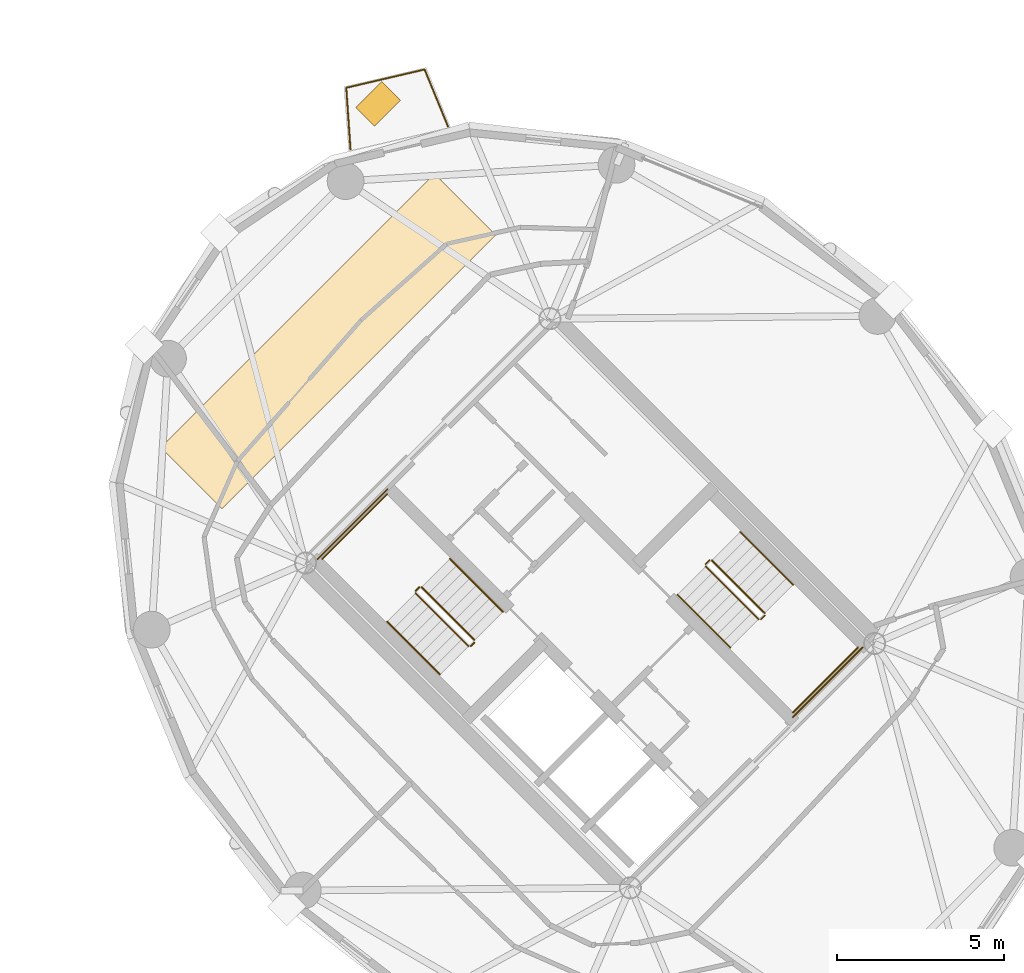
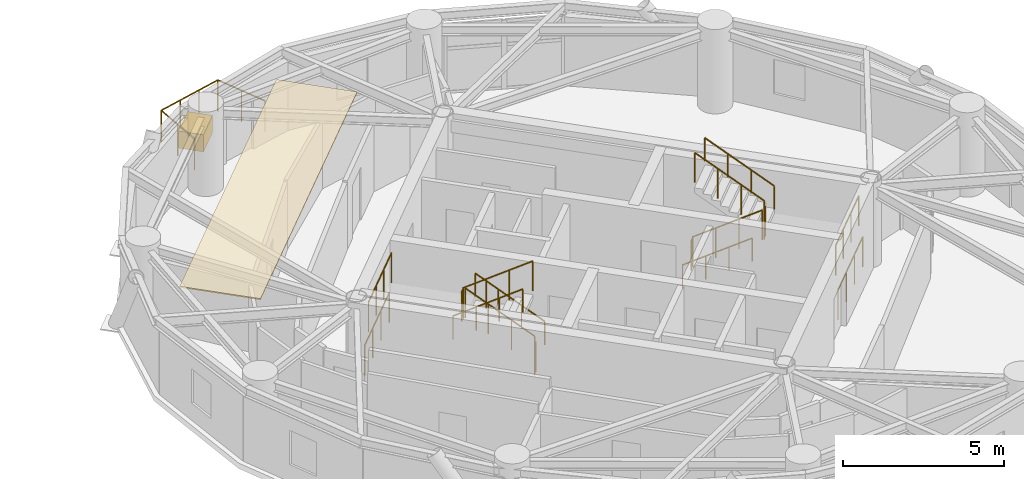
# One storey, part 15 of 16: 17 railings, 2 coverings.
"""IFC4 building model written with IfcOpenShell, lengths in metres."""

from ifc_helpers import new_model, si_unit, direction, frame, origin, origin_2d, place, context, subcontext, project, spatial, polyline, rectangle, circle, outline, extrude, source, transform, mapped, material, layer, layer_set, type_object, element, save


model = new_model("IFC4")

# Units and contexts
model_context = context("Model", 3, precision=1e-05, world=origin(), true_north=direction((0.0, 1.0)))
body_context = subcontext(model_context, "Body", "Model", "MODEL_VIEW")
ifc_project = project(units=[si_unit("LENGTHUNIT", "METRE"), si_unit("AREAUNIT", "SQUARE_METRE"), si_unit("VOLUMEUNIT", "CUBIC_METRE"), si_unit("PLANEANGLEUNIT", "RADIAN"), si_unit("MASSUNIT", "GRAM", prefix="KILO")], contexts=[model_context])

# Site, building, storey
site_placement = place(None, origin())
site = spatial("IfcSite", under=ifc_project, at=site_placement, CompositionType="ELEMENT")
building_placement = place(site_placement, origin())
building = spatial("IfcBuilding", under=site, at=building_placement, Name="Cununo Teusaquillo Station Towers", CompositionType="ELEMENT")
storey_placement = place(building_placement, frame((0.0, 0.0, 226.050048828125)))
storey = spatial("IfcBuildingStorey", under=building, at=storey_placement, Name="L72", CompositionType="ELEMENT", Elevation=226.050048828125)

# Covering
ifc_material_1 = material(Name="Mineral-fibre acoustic suspended ceiling tile", Category="finish")
ifc_layer_1 = layer(ifc_material_1, 0.044921875)
ifc_layer_set_1 = layer_set([ifc_layer_1], Name="Mineral-fibre acoustic suspended ceiling tile")
covering_type_1 = type_object("IfcCoveringType", Name="COV-CEIL-600", PredefinedType="CEILING", material=ifc_layer_set_1)
covering_1_placement = place(storey_placement, frame((0.0, 0.0, 2.945068359375)))
element("IfcCovering", 1, at=covering_1_placement, inside=storey, type_object=covering_type_1, Name="L72 Tower B Acoustic Ceiling", PredefinedType="CEILING", context=body_context, shape_type="SweptSolid", body=[
    extrude(outline(polyline([(52.8330078125, 37.369384765625), (54.671630859375, 35.531005859375), (46.468994140625, 27.328369140625), (44.630615234375, 29.1669921875), (52.8330078125, 37.369384765625)])), origin(), (0.0, 0.0, 1.0), 0.044921875),
])

# Railings
ifc_material_2 = material(Name="Anodised dark bronze aluminium EN AW-6063-T6", Category="aluminium")
railing_type_1 = type_object("IfcRailingType", Name="RL-EXT-BALUS", PredefinedType="BALUSTRADE", material=ifc_material_2)
railing_1_placement = place(storey_placement, frame((50.320556640625, 38.0986328125, 0.0)))
element("IfcRailing", 2, at=railing_1_placement, inside=storey, type_object=railing_type_1, Name="L72 Tower B Balcony Guardrail C03", PredefinedType="BALUSTRADE", context=body_context, shape_type="SweptSolid", body=[
    extrude(circle(Radius=0.02392578125, at=origin_2d()), frame((0.0, 0.0, 1.17578125), z_axis=(-0.068657089116, 0.997640318007, 0.0), x_axis=(-0.997640318007, -0.068657089116, 0.0)), (0.0, 0.0, 1.0), 1.84912109375),
    extrude(circle(Radius=0.02392578125, at=origin_2d()), frame((-0.126953125, 1.8447265625, 1.17578125), z_axis=(0.973841956979, 0.227226413139, 0.0), x_axis=(-0.227226413139, 0.973841956979, 0.0)), (0.0, 0.0, 1.0), 2.409912109375),
    extrude(circle(Radius=0.02392578125, at=origin_2d()), frame((2.219970703125, 2.392333984375, 1.17578125), z_axis=(0.379912800848, -0.925022304462, 0.0), x_axis=(0.925022304462, 0.379912800848, 0.0)), (0.0, 0.0, 1.0), 1.848876953125),
    extrude(circle(Radius=0.02099609375, at=origin_2d()), origin(), (0.0, 0.0, 1.0), 1.15185546875),
    extrude(circle(Radius=0.02099609375, at=origin_2d()), frame((-0.0634765625, 0.92236328125, 0.0)), (0.0, 0.0, 1.0), 1.15185546875),
    extrude(circle(Radius=0.02099609375, at=origin_2d()), frame((-0.126953125, 1.8447265625, 0.0)), (0.0, 0.0, 1.0), 1.15185546875),
    extrude(circle(Radius=0.02099609375, at=origin_2d()), frame((0.6552734375, 2.02734375, 0.0)), (0.0, 0.0, 1.0), 1.15185546875),
    extrude(circle(Radius=0.02099609375, at=origin_2d()), frame((1.437744140625, 2.209716796875, 0.0)), (0.0, 0.0, 1.0), 1.15185546875),
    extrude(circle(Radius=0.02099609375, at=origin_2d()), frame((2.219970703125, 2.392333984375, 0.0)), (0.0, 0.0, 1.0), 1.15185546875),
    extrude(circle(Radius=0.02099609375, at=origin_2d()), frame((2.5712890625, 1.537109375, 0.0)), (0.0, 0.0, 1.0), 1.15185546875),
    extrude(circle(Radius=0.02099609375, at=origin_2d()), frame((2.92236328125, 0.68212890625, 0.0)), (0.0, 0.0, 1.0), 1.15185546875),
])
ifc_material_3 = material(Name="Steel EN 10025-2 S355J2", Category="steel")
railing_type_2 = type_object("IfcRailingType", Name="RL-INT-GUARD", PredefinedType="GUARDRAIL", material=ifc_material_3)
railing_2_placement = place(storey_placement, frame((54.03515625, 23.39697265625, 0.177734375)))
element("IfcRailing", 3, at=railing_2_placement, inside=storey, type_object=railing_type_2, Name="L72 ST-T2-1 stair guard 1", PredefinedType="GUARDRAIL", context=body_context, shape_type="SweptSolid", body=[
    extrude(circle(Radius=0.02392578125, at=origin_2d()), frame((0.0, 0.0, 1.1259765625), z_axis=(-0.596941659029, 0.596941659029, 0.53602361089), x_axis=(-0.707106781187, -0.707106781187, 0.0)), (0.0, 0.0, 1.0), 2.653076171875),
    extrude(circle(Radius=0.02099609375, at=origin_2d()), origin(), (0.0, 0.0, 1.0), 1.101806640625),
    extrude(circle(Radius=0.02099609375, at=origin_2d()), frame((-0.52783203125, 0.52783203125, 0.47412109375)), (0.0, 0.0, 1.0), 1.101806640625),
    extrude(circle(Radius=0.02099609375, at=origin_2d()), frame((-1.055908203125, 1.055908203125, 0.947998046875)), (0.0, 0.0, 1.0), 1.101806640625),
    extrude(circle(Radius=0.02099609375, at=origin_2d()), frame((-1.583740234375, 1.583740234375, 1.422119140625)), (0.0, 0.0, 1.0), 1.101806640625),
])
railing_3_placement = place(storey_placement, frame((52.380615234375, 24.980712890625, 1.599853515625)))
element("IfcRailing", 4, at=railing_3_placement, inside=storey, type_object=railing_type_2, Name="L72 ST-T2-1 stair guard 2", PredefinedType="GUARDRAIL", context=body_context, shape_type="SweptSolid", body=[
    extrude(circle(Radius=0.02392578125, at=origin_2d()), frame((0.0, 0.0, 1.1259765625), z_axis=(-0.7078691598, -0.706343579714, 0.0), x_axis=(0.706343579714, -0.7078691598, 0.0)), (0.0, 0.0, 1.0), 0.159912109375),
    extrude(circle(Radius=0.02099609375, at=origin_2d()), origin(), (0.0, 0.0, 1.0), 1.101806640625),
    extrude(circle(Radius=0.02099609375, at=origin_2d()), frame((-0.11328125, -0.113037109375, 0.0)), (0.0, 0.0, 1.0), 1.101806640625),
])
railing_4_placement = place(storey_placement, frame((51.426025390625, 27.77392578125, 1.599853515625)))
element("IfcRailing", 5, at=railing_4_placement, inside=storey, type_object=railing_type_2, Name="L72 ST-T2-1 stair guard 3", PredefinedType="GUARDRAIL", context=body_context, shape_type="SweptSolid", body=[
    extrude(circle(Radius=0.02392578125, at=origin_2d()), frame((0.0, 0.0, 1.1259765625), z_axis=(-0.707106781187, -0.707106781187, 0.0), x_axis=(0.707106781187, -0.707106781187, 0.0)), (0.0, 0.0, 1.0), 2.760009765625),
    extrude(circle(Radius=0.02099609375, at=origin_2d()), origin(), (0.0, 0.0, 1.0), 1.101806640625),
    extrude(circle(Radius=0.02099609375, at=origin_2d()), frame((-0.650634765625, -0.650634765625, 0.0)), (0.0, 0.0, 1.0), 1.101806640625),
    extrude(circle(Radius=0.02099609375, at=origin_2d()), frame((-1.301025390625, -1.301025390625, 0.0)), (0.0, 0.0, 1.0), 1.101806640625),
    extrude(circle(Radius=0.02099609375, at=origin_2d()), frame((-1.95166015625, -1.95166015625, 0.0)), (0.0, 0.0, 1.0), 1.101806640625),
])
railing_5_placement = place(storey_placement, frame((52.267333984375, 24.796875, 1.77783203125)))
element("IfcRailing", 6, at=railing_5_placement, inside=storey, type_object=railing_type_2, Name="L72 ST-T2-1 stair guard 4", PredefinedType="GUARDRAIL", context=body_context, shape_type="SweptSolid", body=[
    extrude(circle(Radius=0.02392578125, at=origin_2d()), frame((0.0, 0.0, 1.1259765625), z_axis=(0.597000884588, -0.596908868422, 0.535994166573), x_axis=(0.707052281454, 0.707161276719, 0.0)), (0.0, 0.0, 1.0), 2.6533203125),
    extrude(circle(Radius=0.02099609375, at=origin_2d()), origin(), (0.0, 0.0, 1.0), 1.101806640625),
    extrude(circle(Radius=0.02099609375, at=origin_2d()), frame((0.528076171875, -0.52783203125, 0.47412109375)), (0.0, 0.0, 1.0), 1.101806640625),
    extrude(circle(Radius=0.02099609375, at=origin_2d()), frame((1.055908203125, -1.055908203125, 0.947998046875)), (0.0, 0.0, 1.0), 1.101806640625),
    extrude(circle(Radius=0.02099609375, at=origin_2d()), frame((1.583984375, -1.583740234375, 1.422119140625)), (0.0, 0.0, 1.0), 1.101806640625),
])
railing_6_placement = place(storey_placement, frame((54.03515625, 23.326171875, 0.0)))
element("IfcRailing", 7, at=railing_6_placement, inside=storey, type_object=railing_type_2, Name="L72 ST-T2-1 stair guard 5", PredefinedType="GUARDRAIL", context=body_context, shape_type="SweptSolid", body=[
    extrude(circle(Radius=0.02392578125, at=origin_2d()), frame((0.0, 0.0, 1.1259765625), z_axis=(-0.707106781187, -0.707106781187, 0.0), x_axis=(0.707106781187, -0.707106781187, 0.0)), (0.0, 0.0, 1.0), 0.159912109375),
    extrude(circle(Radius=0.02099609375, at=origin_2d()), origin(), (0.0, 0.0, 1.0), 1.101806640625),
    extrude(circle(Radius=0.02099609375, at=origin_2d()), frame((-0.113037109375, -0.113037109375, 0.0)), (0.0, 0.0, 1.0), 1.101806640625),
])
railing_7_placement = place(storey_placement, frame((51.426025390625, 27.915283203125, 0.0)))
element("IfcRailing", 8, at=railing_7_placement, inside=storey, type_object=railing_type_2, Name="L72 ST-T2-1 stair guard 6", PredefinedType="GUARDRAIL", context=body_context, shape_type="SweptSolid", body=[
    extrude(circle(Radius=0.02392578125, at=origin_2d()), frame((0.0, 0.0, 1.1259765625), z_axis=(-0.707106781187, -0.707106781187, 0.0), x_axis=(0.707106781187, -0.707106781187, 0.0)), (0.0, 0.0, 1.0), 2.9599609375),
    extrude(circle(Radius=0.02099609375, at=origin_2d()), origin(), (0.0, 0.0, 1.0), 1.101806640625),
    extrude(circle(Radius=0.02099609375, at=origin_2d()), frame((-0.69775390625, -0.69775390625, 0.0)), (0.0, 0.0, 1.0), 1.101806640625),
    extrude(circle(Radius=0.02099609375, at=origin_2d()), frame((-1.395263671875, -1.395263671875, 0.0)), (0.0, 0.0, 1.0), 1.101806640625),
    extrude(circle(Radius=0.02099609375, at=origin_2d()), frame((-2.093017578125, -2.093017578125, 0.0)), (0.0, 0.0, 1.0), 1.101806640625),
])
railing_8_placement = place(storey_placement, frame((60.96484375, 25.60302734375, 0.177734375)))
element("IfcRailing", 9, at=railing_8_placement, inside=storey, type_object=railing_type_2, Name="L72 ST-T2-2 stair guard 1", PredefinedType="GUARDRAIL", context=body_context, shape_type="SweptSolid", body=[
    extrude(circle(Radius=0.02392578125, at=origin_2d()), frame((0.0, 0.0, 1.1259765625), z_axis=(0.596941659029, -0.596941659029, 0.53602361089), x_axis=(0.707106781187, 0.707106781187, 0.0)), (0.0, 0.0, 1.0), 2.653076171875),
    extrude(circle(Radius=0.02099609375, at=origin_2d()), origin(), (0.0, 0.0, 1.0), 1.101806640625),
    extrude(circle(Radius=0.02099609375, at=origin_2d()), frame((0.52783203125, -0.52783203125, 0.47412109375)), (0.0, 0.0, 1.0), 1.101806640625),
    extrude(circle(Radius=0.02099609375, at=origin_2d()), frame((1.055908203125, -1.055908203125, 0.947998046875)), (0.0, 0.0, 1.0), 1.101806640625),
    extrude(circle(Radius=0.02099609375, at=origin_2d()), frame((1.583740234375, -1.583740234375, 1.422119140625)), (0.0, 0.0, 1.0), 1.101806640625),
])
railing_9_placement = place(storey_placement, frame((62.619384765625, 24.019287109375, 1.599853515625)))
element("IfcRailing", 10, at=railing_9_placement, inside=storey, type_object=railing_type_2, Name="L72 ST-T2-2 stair guard 2", PredefinedType="GUARDRAIL", context=body_context, shape_type="SweptSolid", body=[
    extrude(circle(Radius=0.02392578125, at=origin_2d()), frame((0.0, 0.0, 1.1259765625), z_axis=(0.7078691598, 0.706343579714, 0.0), x_axis=(-0.706343579714, 0.7078691598, 0.0)), (0.0, 0.0, 1.0), 0.159912109375),
    extrude(circle(Radius=0.02099609375, at=origin_2d()), origin(), (0.0, 0.0, 1.0), 1.101806640625),
    extrude(circle(Radius=0.02099609375, at=origin_2d()), frame((0.11328125, 0.113037109375, 0.0)), (0.0, 0.0, 1.0), 1.101806640625),
])
railing_10_placement = place(storey_placement, frame((63.573974609375, 21.22607421875, 1.599853515625)))
element("IfcRailing", 11, at=railing_10_placement, inside=storey, type_object=railing_type_2, Name="L72 ST-T2-2 stair guard 3", PredefinedType="GUARDRAIL", context=body_context, shape_type="SweptSolid", body=[
    extrude(circle(Radius=0.02392578125, at=origin_2d()), frame((0.0, 0.0, 1.1259765625), z_axis=(0.707106781187, 0.707106781187, 0.0), x_axis=(-0.707106781187, 0.707106781187, 0.0)), (0.0, 0.0, 1.0), 2.760009765625),
    extrude(circle(Radius=0.02099609375, at=origin_2d()), origin(), (0.0, 0.0, 1.0), 1.101806640625),
    extrude(circle(Radius=0.02099609375, at=origin_2d()), frame((0.650634765625, 0.650634765625, 0.0)), (0.0, 0.0, 1.0), 1.101806640625),
    extrude(circle(Radius=0.02099609375, at=origin_2d()), frame((1.301025390625, 1.301025390625, 0.0)), (0.0, 0.0, 1.0), 1.101806640625),
    extrude(circle(Radius=0.02099609375, at=origin_2d()), frame((1.95166015625, 1.95166015625, 0.0)), (0.0, 0.0, 1.0), 1.101806640625),
])
railing_11_placement = place(storey_placement, frame((62.732666015625, 24.203125, 1.77783203125)))
element("IfcRailing", 12, at=railing_11_placement, inside=storey, type_object=railing_type_2, Name="L72 ST-T2-2 stair guard 4", PredefinedType="GUARDRAIL", context=body_context, shape_type="SweptSolid", body=[
    extrude(circle(Radius=0.02392578125, at=origin_2d()), frame((0.0, 0.0, 1.1259765625), z_axis=(-0.597000884588, 0.596908868422, 0.535994166573), x_axis=(-0.707052281454, -0.707161276719, 0.0)), (0.0, 0.0, 1.0), 2.6533203125),
    extrude(circle(Radius=0.02099609375, at=origin_2d()), origin(), (0.0, 0.0, 1.0), 1.101806640625),
    extrude(circle(Radius=0.02099609375, at=origin_2d()), frame((-0.528076171875, 0.52783203125, 0.47412109375)), (0.0, 0.0, 1.0), 1.101806640625),
    extrude(circle(Radius=0.02099609375, at=origin_2d()), frame((-1.055908203125, 1.055908203125, 0.947998046875)), (0.0, 0.0, 1.0), 1.101806640625),
    extrude(circle(Radius=0.02099609375, at=origin_2d()), frame((-1.583984375, 1.583740234375, 1.422119140625)), (0.0, 0.0, 1.0), 1.101806640625),
])
railing_12_placement = place(storey_placement, frame((60.96484375, 25.673828125, 0.0)))
element("IfcRailing", 13, at=railing_12_placement, inside=storey, type_object=railing_type_2, Name="L72 ST-T2-2 stair guard 5", PredefinedType="GUARDRAIL", context=body_context, shape_type="SweptSolid", body=[
    extrude(circle(Radius=0.02392578125, at=origin_2d()), frame((0.0, 0.0, 1.1259765625), z_axis=(0.707106781187, 0.707106781187, 0.0), x_axis=(-0.707106781187, 0.707106781187, 0.0)), (0.0, 0.0, 1.0), 0.159912109375),
    extrude(circle(Radius=0.02099609375, at=origin_2d()), origin(), (0.0, 0.0, 1.0), 1.101806640625),
    extrude(circle(Radius=0.02099609375, at=origin_2d()), frame((0.113037109375, 0.113037109375, 0.0)), (0.0, 0.0, 1.0), 1.101806640625),
])
railing_13_placement = place(storey_placement, frame((63.573974609375, 21.084716796875, 0.0)))
element("IfcRailing", 14, at=railing_13_placement, inside=storey, type_object=railing_type_2, Name="L72 ST-T2-2 stair guard 6", PredefinedType="GUARDRAIL", context=body_context, shape_type="SweptSolid", body=[
    extrude(circle(Radius=0.02392578125, at=origin_2d()), frame((0.0, 0.0, 1.1259765625), z_axis=(0.707106781187, 0.707106781187, 0.0), x_axis=(-0.707106781187, 0.707106781187, 0.0)), (0.0, 0.0, 1.0), 2.9599609375),
    extrude(circle(Radius=0.02099609375, at=origin_2d()), origin(), (0.0, 0.0, 1.0), 1.101806640625),
    extrude(circle(Radius=0.02099609375, at=origin_2d()), frame((0.69775390625, 0.69775390625, 0.0)), (0.0, 0.0, 1.0), 1.101806640625),
    extrude(circle(Radius=0.02099609375, at=origin_2d()), frame((1.395263671875, 1.395263671875, 0.0)), (0.0, 0.0, 1.0), 1.101806640625),
    extrude(circle(Radius=0.02099609375, at=origin_2d()), frame((2.093017578125, 2.093017578125, 0.0)), (0.0, 0.0, 1.0), 1.101806640625),
])
ifc_material_4 = material(Name="Steel EN 10025-2 S355J2", Category="steel")
railing_type_3 = type_object("IfcRailingType", Name="RL-INT-HRAIL", PredefinedType="HANDRAIL", material=ifc_material_4)
railing_14_placement = place(storey_placement, frame((54.8837890625, 24.245361328125, 0.177734375)))
element("IfcRailing", 15, at=railing_14_placement, inside=storey, type_object=railing_type_3, Name="L72 ST-T2-1 stair handrail 1", PredefinedType="HANDRAIL", context=body_context, shape_type="SweptSolid", body=[
    extrude(circle(Radius=0.02392578125, at=origin_2d()), frame((0.0, 0.0, 0.8759765625), z_axis=(-0.59696809433, 0.59696809433, 0.535964727108), x_axis=(-0.707106781187, -0.707106781187, 0.0)), (0.0, 0.0, 1.0), 2.6533203125),
    extrude(circle(Radius=0.02099609375, at=origin_2d()), origin(), (0.0, 0.0, 1.0), 0.851806640625),
    extrude(circle(Radius=0.02099609375, at=origin_2d()), frame((-0.528076171875, 0.528076171875, 0.47412109375)), (0.0, 0.0, 1.0), 0.851806640625),
    extrude(circle(Radius=0.02099609375, at=origin_2d()), frame((-1.055908203125, 1.055908203125, 0.947998046875)), (0.0, 0.0, 1.0), 0.851806640625),
    extrude(circle(Radius=0.02099609375, at=origin_2d()), frame((-1.583984375, 1.583984375, 1.422119140625)), (0.0, 0.0, 1.0), 0.851806640625),
])
for number, where, name in (
    (16, (51.4189453125, 23.948486328125, 1.77783203125), "L72 ST-T2-1 stair handrail 2"),
    (17, (60.1162109375, 24.754638671875, 0.177734375), "L72 ST-T2-2 stair handrail 1"),
):
    element("IfcRailing", number, at=place(storey_placement, frame(where)), inside=storey, type_object=railing_type_3, Name=name, PredefinedType="HANDRAIL", context=body_context, shape_type="SweptSolid", body=[
        extrude(circle(Radius=0.02392578125, at=origin_2d()), frame((0.0, 0.0, 0.8759765625), z_axis=(0.59696809433, -0.59696809433, 0.535964727108), x_axis=(0.707106781187, 0.707106781187, 0.0)), (0.0, 0.0, 1.0), 2.6533203125),
        extrude(circle(Radius=0.02099609375, at=origin_2d()), origin(), (0.0, 0.0, 1.0), 0.851806640625),
        extrude(circle(Radius=0.02099609375, at=origin_2d()), frame((0.528076171875, -0.528076171875, 0.47412109375)), (0.0, 0.0, 1.0), 0.851806640625),
        extrude(circle(Radius=0.02099609375, at=origin_2d()), frame((1.055908203125, -1.055908203125, 0.947998046875)), (0.0, 0.0, 1.0), 0.851806640625),
        extrude(circle(Radius=0.02099609375, at=origin_2d()), frame((1.583984375, -1.583984375, 1.422119140625)), (0.0, 0.0, 1.0), 0.851806640625),
    ])
railing_15_placement = place(storey_placement, frame((63.5810546875, 25.051513671875, 1.77783203125)))
element("IfcRailing", 18, at=railing_15_placement, inside=storey, type_object=railing_type_3, Name="L72 ST-T2-2 stair handrail 2", PredefinedType="HANDRAIL", context=body_context, shape_type="SweptSolid", body=[
    extrude(circle(Radius=0.02392578125, at=origin_2d()), frame((0.0, 0.0, 0.8759765625), z_axis=(-0.59696809433, 0.59696809433, 0.535964727108), x_axis=(-0.707106781187, -0.707106781187, 0.0)), (0.0, 0.0, 1.0), 2.6533203125),
    extrude(circle(Radius=0.02099609375, at=origin_2d()), origin(), (0.0, 0.0, 1.0), 0.851806640625),
    extrude(circle(Radius=0.02099609375, at=origin_2d()), frame((-0.528076171875, 0.528076171875, 0.47412109375)), (0.0, 0.0, 1.0), 0.851806640625),
    extrude(circle(Radius=0.02099609375, at=origin_2d()), frame((-1.055908203125, 1.055908203125, 0.947998046875)), (0.0, 0.0, 1.0), 0.851806640625),
    extrude(circle(Radius=0.02099609375, at=origin_2d()), frame((-1.583984375, 1.583984375, 1.422119140625)), (0.0, 0.0, 1.0), 0.851806640625),
])

# Covering
ifc_material_5 = material(Name="Architectural GRC planter shell and engineered root-zone substrate", Category="concrete")
ifc_layer_2 = layer(ifc_material_5, 0.64990234375)
ifc_layer_set_2 = layer_set([ifc_layer_2], Name="Architectural GRC planter shell and engineered root-zone substrate")
covering_type_2 = type_object("IfcCoveringType", Name="COV-TREE-PLANTER", PredefinedType="CLADDING", material=ifc_layer_set_2)
shared_shape = source(origin(), body_context, "Body", "SweptSolid", [
    extrude(rectangle(XDim=1.10009765625, YDim=0.800048828125, at=origin_2d()), origin(), (0.0, 0.0, 1.0), 0.64990234375),
])
covering_2_placement = place(storey_placement, frame((51.147705078125, 39.46240234375, 0.0), z_axis=(0.0, 0.0, 1.0), x_axis=(0.707106781187, 0.707106781187, 0.0)))
element("IfcCovering", 19, at=covering_2_placement, inside=storey, type_object=covering_type_2, Name="L72 Tower B Balcony Tree PLANTER C03", PredefinedType="CLADDING", context=body_context, shape_type="MappedRepresentation", body=[
    mapped(shared_shape, transform((0.0, 0.0, 0.0), x_axis=(1.0, 0.0, 0.0), y_axis=(0.0, 1.0, 0.0), z_axis=(0.0, 0.0, 1.0), scale=1.0)),
])

save(model, "model.ifc")
